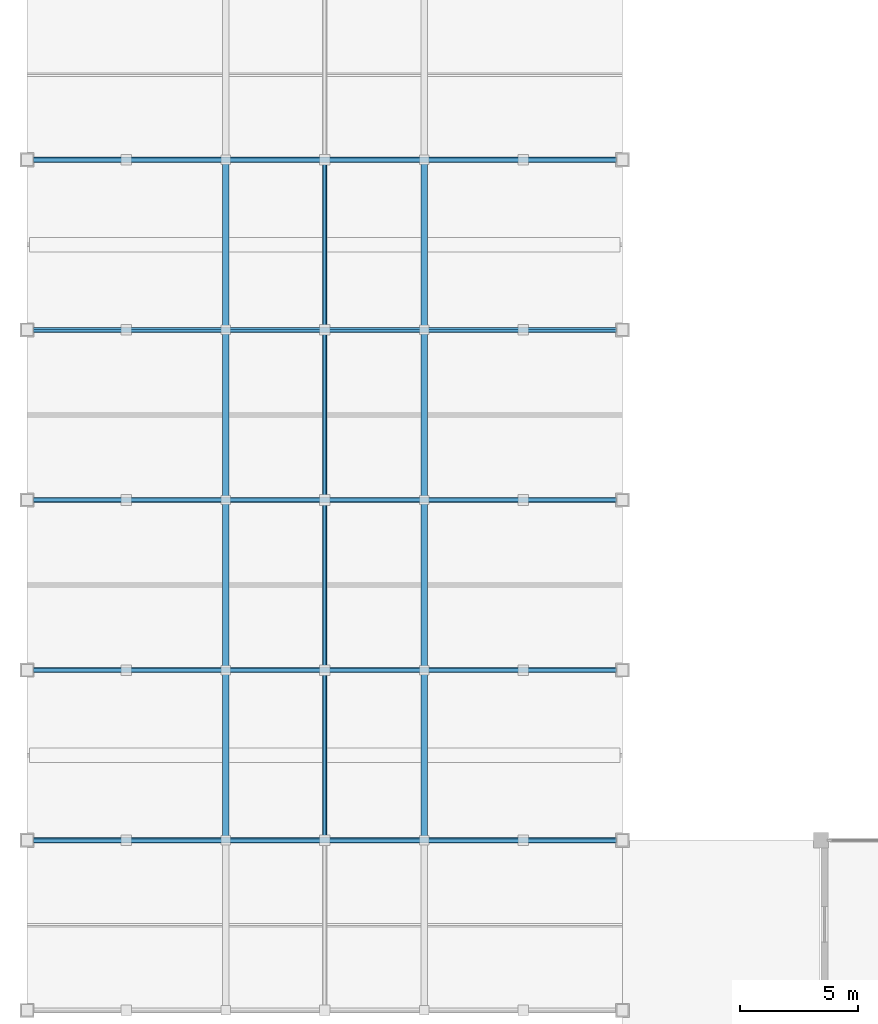
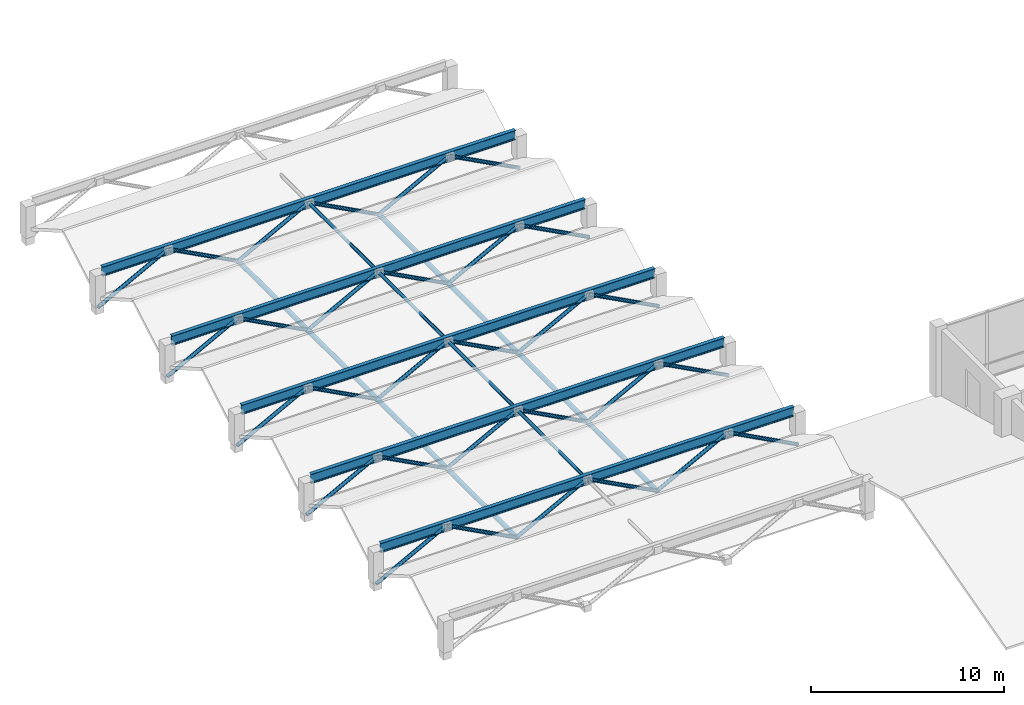
# One storey, part 4 of 40: 42 members, 5 beams.
"""IFC4 building model written with IfcOpenShell, lengths in metres."""

from ifc_helpers import new_model, si_unit, direction, frame, origin, origin_2d, place, context, subcontext, project, spatial, hollow_circle, i_section, extrude, material, material_profile, profile_set, type_object, element, save


model = new_model("IFC4")

# Units and contexts
model_context = context("Model", 3, precision=1e-05, world=origin(), true_north=direction((0.0, 1.0)))
body_context = subcontext(model_context, "Body", "Model", "MODEL_VIEW")
ifc_project = project(units=[si_unit("LENGTHUNIT", "METRE"), si_unit("AREAUNIT", "SQUARE_METRE"), si_unit("VOLUMEUNIT", "CUBIC_METRE"), si_unit("PLANEANGLEUNIT", "RADIAN"), si_unit("MASSUNIT", "GRAM", prefix="KILO")], contexts=[model_context])

# Site, building, storey
site_placement = place(None, origin())
site = spatial("IfcSite", under=ifc_project, at=site_placement, CompositionType="ELEMENT")
building_placement = place(site_placement, origin())
building = spatial("IfcBuilding", under=site, at=building_placement, Name="Kenerak Square Central Library", CompositionType="ELEMENT")
storey_placement = place(building_placement, frame((0.0, 0.0, 14.39990234375)))
storey = spatial("IfcBuildingStorey", under=building, at=storey_placement, Name="L03", CompositionType="ELEMENT", Elevation=14.39990234375)

# Beams
ifc_material = material(Name="Steel S355", Category="steel")
ifc_material_profile_1 = material_profile(ifc_material, i_section(OverallWidth=0.219970703125, OverallDepth=0.60009765625, WebThickness=0.011962890625, FlangeThickness=0.01904296875, FilletRadius=0.02392578125, at=origin_2d()), Name="IPE 600")
ifc_profile_set_1 = profile_set([ifc_material_profile_1], Name="Steel S355")
beam_type = type_object("IfcBeamType", Name="Auditorium Roof Rafter SB-06 IPE 600 S355", PredefinedType="BEAM", material=ifc_profile_set_1)
for number, where, z_axis, x_axis, name in (
    (1, (8.25, 38.39990234375, 1.97998046875), (1.0, 0.0, 0.0), (0.0, 1.0, 0.0), "Auditorium Truss Top Girder 01"),
    (2, (8.25, 45.60009765625, 1.97998046875), (1.0, 0.0, 0.0), (0.0, 1.0, 0.0), "Auditorium Truss Top Girder 02"),
    (3, (8.25, 52.800048828125, 1.97998046875), (1.0, 0.0, 0.0), (0.0, 1.0, 0.0), "Auditorium Truss Top Girder 03"),
    (4, (8.25, 60.0, 1.97998046875), (1.0, 0.0, 0.0), (0.0, 1.0, 0.0), "Auditorium Truss Top Girder 04"),
    (5, (8.25, 67.199951171875, 1.97998046875), (1.0, 0.0, 0.0), (0.0, 1.0, 0.0), "Auditorium Truss Top Girder 05"),
):
    element("IfcBeam", number, at=place(storey_placement, frame(where, z_axis=z_axis, x_axis=x_axis)), inside=storey, type_object=beam_type, Name=name, PredefinedType="BEAM", context=body_context, shape_type="SweptSolid", body=[
        extrude(i_section(OverallWidth=0.219970703125, OverallDepth=0.60009765625, WebThickness=0.011962890625, FlangeThickness=0.01904296875, FilletRadius=0.02392578125, at=origin_2d()), origin(), (0.0, 0.0, 1.0), 24.699951171875),
    ])

# Members
ifc_material_profile_2 = material_profile(ifc_material, hollow_circle(Radius=0.096923828125, WallThickness=0.008056640625, at=origin_2d()), Name="CHS 193.7x8.0")
ifc_profile_set_2 = profile_set([ifc_material_profile_2], Name="Steel S355")
member_type_1 = type_object("IfcMemberType", Name="Auditorium Sway Tie AT-03 CHS 193.7x8 S355", PredefinedType="BRACE", material=ifc_profile_set_2)
member_placement = place(storey_placement, frame((20.60009765625, 38.39990234375, 1.97998046875), z_axis=(0.0, 1.0, 0.0), x_axis=(-1.0, 0.0, 0.0)))
element("IfcMember", 6, at=member_placement, inside=storey, type_object=member_type_1, Name="Auditorium Ridge Sway Tie AT-03 01", PredefinedType="BRACE", context=body_context, shape_type="SweptSolid", body=[
    extrude(hollow_circle(Radius=0.096923828125, WallThickness=0.008056640625, at=origin_2d()), origin(), (0.0, 0.0, 1.0), 7.2001953125),
])
for number, where, z_axis, x_axis, name in (
    (7, (20.60009765625, 45.60009765625, 1.97998046875), (0.0, 1.0, 0.0), (-1.0, 0.0, 0.0), "Auditorium Ridge Sway Tie AT-03 02"),
    (8, (20.60009765625, 52.800048828125, 1.97998046875), (0.0, 1.0, 0.0), (-1.0, 0.0, 0.0), "Auditorium Ridge Sway Tie AT-03 03"),
    (9, (20.60009765625, 60.0, 1.97998046875), (0.0, 1.0, 0.0), (-1.0, 0.0, 0.0), "Auditorium Ridge Sway Tie AT-03 04"),
):
    element("IfcMember", number, at=place(storey_placement, frame(where, z_axis=z_axis, x_axis=x_axis)), inside=storey, type_object=member_type_1, Name=name, PredefinedType="BRACE", context=body_context, shape_type="SweptSolid", body=[
        extrude(hollow_circle(Radius=0.096923828125, WallThickness=0.008056640625, at=origin_2d()), origin(), (0.0, 0.0, 1.0), 7.199951171875),
    ])
ifc_material_profile_3 = material_profile(ifc_material, hollow_circle(Radius=0.109619140625, WallThickness=0.008056640625, at=origin_2d()), Name="CHS 219.1x8.0")
ifc_profile_set_3 = profile_set([ifc_material_profile_3], Name="Steel S355")
member_type_2 = type_object("IfcMemberType", Name="Auditorium Truss Diagonal AT-02 CHS 219.1x8 S355", PredefinedType="BRACE", material=ifc_profile_set_3)
for number, where, z_axis, x_axis, name in (
    (10, (8.0, 38.39990234375, -0.25), (0.883224048295, 0.0, 0.468951256009), (0.0, 1.0, 0.0), "Auditorium Truss Web Diagonal 0229"),
    (11, (12.199951171875, 38.39990234375, 1.97998046875), (0.883224048295, 0.0, -0.468951256009), (0.0, 1.0, 0.0), "Auditorium Truss Counter Web 0230"),
    (12, (16.39990234375, 38.39990234375, -0.25), (0.88323533826, 0.0, 0.468929991843), (0.0, 1.0, 0.0), "Auditorium Truss Web Diagonal 0231"),
    (13, (20.60009765625, 38.39990234375, 1.97998046875), (0.883224048295, 0.0, -0.468951256009), (0.0, 1.0, 0.0), "Auditorium Truss Counter Web 0232"),
    (14, (24.800048828125, 38.39990234375, -0.25), (0.883224048295, 0.0, 0.468951256009), (0.0, 1.0, 0.0), "Auditorium Truss Web Diagonal 0233"),
    (15, (29.0, 38.39990234375, 1.97998046875), (0.883224048295, 0.0, -0.468951256009), (0.0, 1.0, 0.0), "Auditorium Truss Counter Web 0234"),
    (16, (8.0, 45.60009765625, -0.25), (0.883224048295, 0.0, 0.468951256009), (0.0, 1.0, 0.0), "Auditorium Truss Web Diagonal 0235"),
    (17, (12.199951171875, 45.60009765625, 1.97998046875), (0.883224048295, 0.0, -0.468951256009), (0.0, 1.0, 0.0), "Auditorium Truss Counter Web 0236"),
    (18, (16.39990234375, 45.60009765625, -0.25), (0.88323533826, 0.0, 0.468929991843), (0.0, 1.0, 0.0), "Auditorium Truss Web Diagonal 0237"),
    (19, (20.60009765625, 45.60009765625, 1.97998046875), (0.883224048295, 0.0, -0.468951256009), (0.0, 1.0, 0.0), "Auditorium Truss Counter Web 0238"),
    (20, (24.800048828125, 45.60009765625, -0.25), (0.883224048295, 0.0, 0.468951256009), (0.0, 1.0, 0.0), "Auditorium Truss Web Diagonal 0239"),
    (21, (29.0, 45.60009765625, 1.97998046875), (0.883224048295, 0.0, -0.468951256009), (0.0, 1.0, 0.0), "Auditorium Truss Counter Web 0240"),
    (22, (8.0, 52.800048828125, -0.25), (0.883224048295, 0.0, 0.468951256009), (0.0, 1.0, 0.0), "Auditorium Truss Web Diagonal 0241"),
    (23, (12.199951171875, 52.800048828125, 1.97998046875), (0.883224048295, 0.0, -0.468951256009), (0.0, 1.0, 0.0), "Auditorium Truss Counter Web 0242"),
    (24, (16.39990234375, 52.800048828125, -0.25), (0.88323533826, 0.0, 0.468929991843), (0.0, 1.0, 0.0), "Auditorium Truss Web Diagonal 0243"),
    (25, (20.60009765625, 52.800048828125, 1.97998046875), (0.883224048295, 0.0, -0.468951256009), (0.0, 1.0, 0.0), "Auditorium Truss Counter Web 0244"),
    (26, (24.800048828125, 52.800048828125, -0.25), (0.883224048295, 0.0, 0.468951256009), (0.0, 1.0, 0.0), "Auditorium Truss Web Diagonal 0245"),
    (27, (29.0, 52.800048828125, 1.97998046875), (0.883224048295, 0.0, -0.468951256009), (0.0, 1.0, 0.0), "Auditorium Truss Counter Web 0246"),
    (28, (8.0, 60.0, -0.25), (0.883224048295, 0.0, 0.468951256009), (0.0, 1.0, 0.0), "Auditorium Truss Web Diagonal 0247"),
    (29, (12.199951171875, 60.0, 1.97998046875), (0.883224048295, 0.0, -0.468951256009), (0.0, 1.0, 0.0), "Auditorium Truss Counter Web 0248"),
    (30, (16.39990234375, 60.0, -0.25), (0.88323533826, 0.0, 0.468929991843), (0.0, 1.0, 0.0), "Auditorium Truss Web Diagonal 0249"),
    (31, (20.60009765625, 60.0, 1.97998046875), (0.883224048295, 0.0, -0.468951256009), (0.0, 1.0, 0.0), "Auditorium Truss Counter Web 0250"),
    (32, (24.800048828125, 60.0, -0.25), (0.883224048295, 0.0, 0.468951256009), (0.0, 1.0, 0.0), "Auditorium Truss Web Diagonal 0251"),
    (33, (29.0, 60.0, 1.97998046875), (0.883224048295, 0.0, -0.468951256009), (0.0, 1.0, 0.0), "Auditorium Truss Counter Web 0252"),
    (34, (8.0, 67.199951171875, -0.25), (0.883224048295, 0.0, 0.468951256009), (0.0, 1.0, 0.0), "Auditorium Truss Web Diagonal 0253"),
    (35, (12.199951171875, 67.199951171875, 1.97998046875), (0.883224048295, 0.0, -0.468951256009), (0.0, 1.0, 0.0), "Auditorium Truss Counter Web 0254"),
    (36, (16.39990234375, 67.199951171875, -0.25), (0.88323533826, 0.0, 0.468929991843), (0.0, 1.0, 0.0), "Auditorium Truss Web Diagonal 0255"),
    (37, (20.60009765625, 67.199951171875, 1.97998046875), (0.883224048295, 0.0, -0.468951256009), (0.0, 1.0, 0.0), "Auditorium Truss Counter Web 0256"),
    (38, (24.800048828125, 67.199951171875, -0.25), (0.883224048295, 0.0, 0.468951256009), (0.0, 1.0, 0.0), "Auditorium Truss Web Diagonal 0257"),
    (39, (29.0, 67.199951171875, 1.97998046875), (0.883224048295, 0.0, -0.468951256009), (0.0, 1.0, 0.0), "Auditorium Truss Counter Web 0258"),
):
    element("IfcMember", number, at=place(storey_placement, frame(where, z_axis=z_axis, x_axis=x_axis)), inside=storey, type_object=member_type_2, Name=name, PredefinedType="BRACE", context=body_context, shape_type="SweptSolid", body=[
        extrude(hollow_circle(Radius=0.109619140625, WallThickness=0.008056640625, at=origin_2d()), origin(), (0.0, 0.0, 1.0), 4.75537109375),
    ])
ifc_material_profile_4 = material_profile(ifc_material, hollow_circle(Radius=0.136474609375, WallThickness=0.010009765625, at=origin_2d()), Name="CHS 273.0x10.0")
ifc_profile_set_4 = profile_set([ifc_material_profile_4], Name="Steel S355")
member_type_3 = type_object("IfcMemberType", Name="Auditorium Truss Tie AT-01 CHS 273.0x10 S355", PredefinedType="CHORD", material=ifc_profile_set_4)
for number, where, z_axis, x_axis, name in (
    (40, (16.39990234375, 38.39990234375, -0.25), (0.0, 1.0, 0.0), (-1.0, 0.0, 0.0), "Auditorium Truss Longitudinal Tie AT-01 1-1"),
    (41, (24.800048828125, 38.39990234375, -0.25), (0.0, 1.0, 0.0), (-1.0, 0.0, 0.0), "Auditorium Truss Longitudinal Tie AT-01 1-2"),
):
    element("IfcMember", number, at=place(storey_placement, frame(where, z_axis=z_axis, x_axis=x_axis)), inside=storey, type_object=member_type_3, Name=name, PredefinedType="CHORD", context=body_context, shape_type="SweptSolid", body=[
        extrude(hollow_circle(Radius=0.136474609375, WallThickness=0.010009765625, at=origin_2d()), origin(), (0.0, 0.0, 1.0), 7.2001953125),
    ])
for number, where, z_axis, x_axis, name in (
    (42, (16.39990234375, 45.60009765625, -0.25), (0.0, 1.0, 0.0), (-1.0, 0.0, 0.0), "Auditorium Truss Longitudinal Tie AT-01 2-1"),
    (43, (24.800048828125, 45.60009765625, -0.25), (0.0, 1.0, 0.0), (-1.0, 0.0, 0.0), "Auditorium Truss Longitudinal Tie AT-01 2-2"),
    (44, (16.39990234375, 52.800048828125, -0.25), (0.0, 1.0, 0.0), (-1.0, 0.0, 0.0), "Auditorium Truss Longitudinal Tie AT-01 3-1"),
    (45, (24.800048828125, 52.800048828125, -0.25), (0.0, 1.0, 0.0), (-1.0, 0.0, 0.0), "Auditorium Truss Longitudinal Tie AT-01 3-2"),
    (46, (16.39990234375, 60.0, -0.25), (0.0, 1.0, 0.0), (-1.0, 0.0, 0.0), "Auditorium Truss Longitudinal Tie AT-01 4-1"),
    (47, (24.800048828125, 60.0, -0.25), (0.0, 1.0, 0.0), (-1.0, 0.0, 0.0), "Auditorium Truss Longitudinal Tie AT-01 4-2"),
):
    element("IfcMember", number, at=place(storey_placement, frame(where, z_axis=z_axis, x_axis=x_axis)), inside=storey, type_object=member_type_3, Name=name, PredefinedType="CHORD", context=body_context, shape_type="SweptSolid", body=[
        extrude(hollow_circle(Radius=0.136474609375, WallThickness=0.010009765625, at=origin_2d()), origin(), (0.0, 0.0, 1.0), 7.199951171875),
    ])

save(model, "model.ifc")
